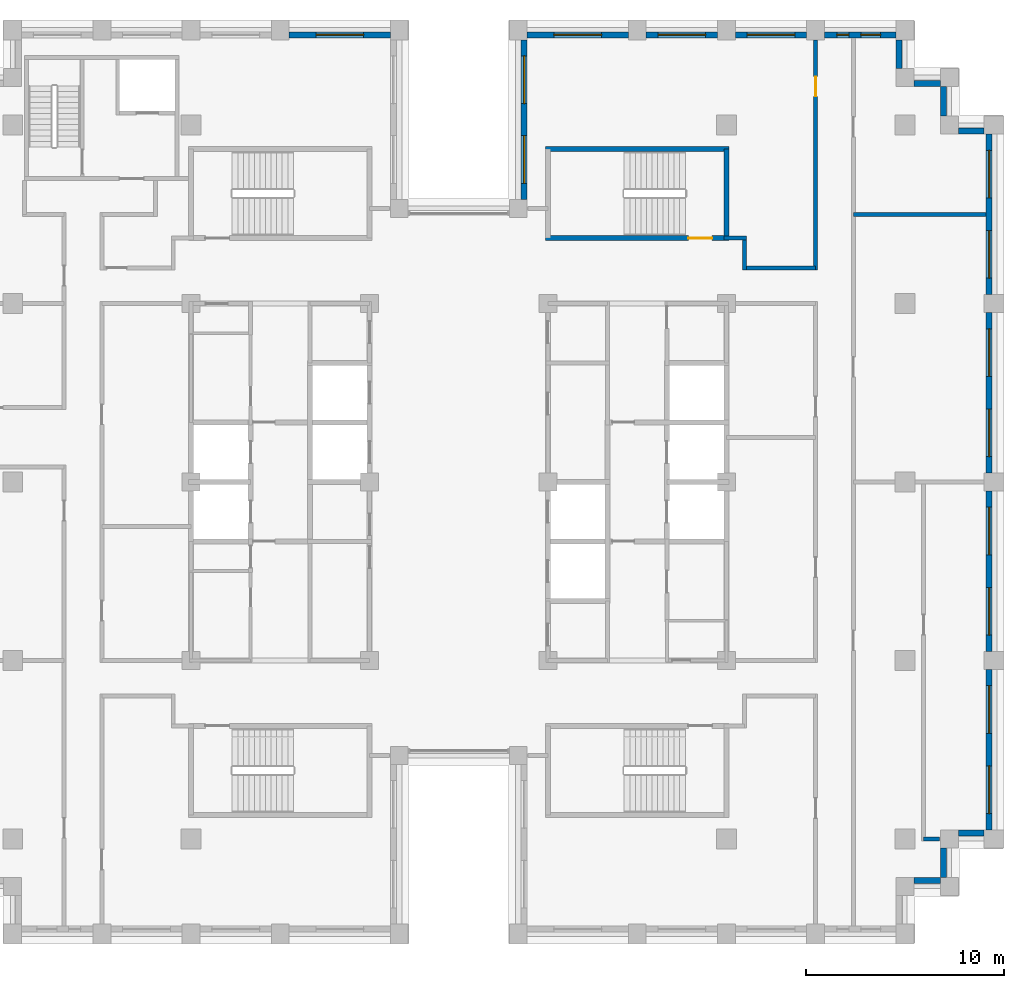
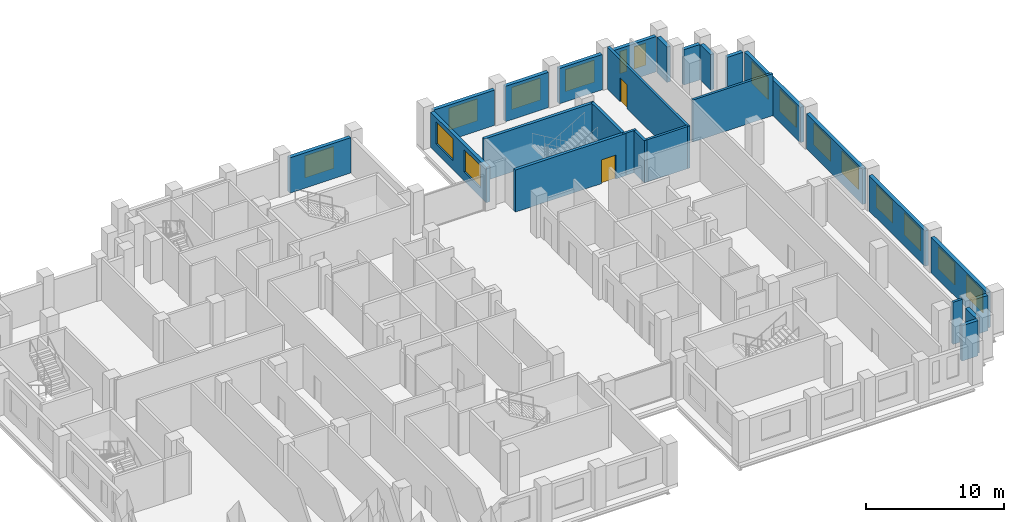
# One storey, part 11 of 15: 26 walls, 16 windows, 2 doors, 18 openings.
"""IFC4 building model written with IfcOpenShell, lengths in metres."""

import ifcopenshell
import ifcopenshell.guid

model = None  # the IFC model being written
_history = None  # IfcOwnerHistory: only IFC2X3 demands one
_inside = {}  # id of a spatial element -> (the spatial element, [elements in it])
_under = {}  # id of a project, library or spatial element -> (it, [spatial elements below it])
_declared = {}  # id of a project -> (the project, [libraries it declares])
_typed = {}  # id of a type object -> (the type object, [elements of that type])
_made_of = {}  # id of a material, layer set ... -> (it, [elements and type objects made of it])


def new_model(schema):
    """Start an empty IFC model of exactly this schema.

    Asked for "IFC4X3", IfcOpenShell would pick the latest addendum, in which some entities
    have other attributes; the version numbers below select the first issue.
    IFC2X3 requires an IfcOwnerHistory on every rooted entity: one is made here for all.
    """
    global model, _history
    if schema == "IFC4X3":
        model = ifcopenshell.file(schema_version=(4, 3, 0, 0))
    else:
        model = ifcopenshell.file(schema=schema)
    _inside.clear()
    _under.clear()
    _declared.clear()
    _typed.clear()
    _made_of.clear()
    _history = None
    if model.schema == "IFC2X3":
        org = make("IfcOrganization", Name="unknown")
        user = make(
            "IfcPersonAndOrganization",
            ThePerson=make("IfcPerson", FamilyName="unknown"),
            TheOrganization=org,
        )
        app = make(
            "IfcApplication",
            ApplicationDeveloper=org,
            Version="unknown",
            ApplicationFullName="unknown",
            ApplicationIdentifier="unknown",
        )
        _history = make(
            "IfcOwnerHistory",
            OwningUser=user,
            OwningApplication=app,
            ChangeAction="ADDED",
            CreationDate=0,
        )
    return model


def make(cls, **values):
    """One entity of the class cls with the attributes given. An attribute that is None is left unset."""
    return model.create_entity(
        cls, **{name: value for name, value in values.items() if value is not None}
    )


def rooted(cls, **values):
    """An entity with a GlobalId (a new one), such as an element, a storey or a relation."""
    return make(cls, GlobalId=ifcopenshell.guid.new(), OwnerHistory=_history, **values)


def si_unit(unit_type, name, prefix=None):
    """IfcSIUnit, for example si_unit("LENGTHUNIT", "METRE", prefix="MILLI")."""
    return make("IfcSIUnit", UnitType=unit_type, Prefix=prefix, Name=name)


def assignment(units):
    """IfcUnitAssignment: the units of a project."""
    return None if units is None else make("IfcUnitAssignment", Units=units)


def point(xyz):
    """IfcCartesianPoint."""
    return None if xyz is None else make("IfcCartesianPoint", Coordinates=xyz)


def direction(xyz):
    """IfcDirection."""
    return None if xyz is None else make("IfcDirection", DirectionRatios=xyz)


def frame(location, z_axis=None, x_axis=None):
    """IfcAxis2Placement3D, a coordinate frame: its origin and axes. An axis left out is left unset."""
    return make(
        "IfcAxis2Placement3D",
        Location=point(location),
        Axis=direction(z_axis),
        RefDirection=direction(x_axis),
    )


def frame_2d(location, x_axis=None):
    """IfcAxis2Placement2D, a coordinate frame in the plane: its origin and x axis."""
    return make(
        "IfcAxis2Placement2D", Location=point(location), RefDirection=direction(x_axis)
    )


def origin():
    """The frame at (0, 0, 0) with its axes left unset."""
    return frame((0.0, 0.0, 0.0))


def place(relative_to, where):
    """IfcLocalPlacement: puts the frame where relative to a parent placement (None: the world)."""
    return make(
        "IfcLocalPlacement", PlacementRelTo=relative_to, RelativePlacement=where
    )


def context(
    kind, dimensions, precision=None, world=None, true_north=None, identifier=None
):
    """IfcGeometricRepresentationContext, for example the 3D "Model" context."""
    return make(
        "IfcGeometricRepresentationContext",
        ContextIdentifier=identifier,
        ContextType=kind,
        CoordinateSpaceDimension=dimensions,
        Precision=precision,
        WorldCoordinateSystem=world,
        TrueNorth=true_north,
    )


def subcontext(parent, identifier, kind, view, scale=None):
    """IfcGeometricRepresentationSubContext, for example "Body" below "Model"."""
    return make(
        "IfcGeometricRepresentationSubContext",
        ContextIdentifier=identifier,
        ContextType=kind,
        ParentContext=parent,
        TargetScale=scale,
        TargetView=view,
    )


def project(units=None, contexts=None):
    """IfcProject with its units and contexts."""
    return rooted(
        "IfcProject",
        Name="project",
        RepresentationContexts=contexts,
        UnitsInContext=assignment(units),
    )


def spatial(cls, under=None, at=None, **own):
    """A site, building, storey or space (cls), placed at a placement, below another one or the project."""
    s = rooted(cls, ObjectPlacement=at, **own)
    if under is not None:
        _under.setdefault(under.id(), (under, []))[1].append(s)
    return s


def profile(cls, at=None, kind="AREA", **sizes):
    """A parametric profile (cls). Its sizes go by their IFC names, for example OverallWidth=200.0."""
    return make(cls, ProfileType=kind, Position=at, **sizes)


def rectangle(**sizes):
    """IfcRectangleProfileDef."""
    return profile("IfcRectangleProfileDef", **sizes)


def extrude(swept, where, along, depth):
    """IfcExtrudedAreaSolid: the profile swept, set in the frame where, extruded along a direction by depth."""
    return make(
        "IfcExtrudedAreaSolid",
        SweptArea=swept,
        Position=where,
        ExtrudedDirection=direction(along),
        Depth=depth,
    )


def shape(context_of_items, identifier, shape_type, items):
    """IfcShapeRepresentation: the items that make up one representation, for example the "Body"."""
    return make(
        "IfcShapeRepresentation",
        ContextOfItems=context_of_items,
        RepresentationIdentifier=identifier,
        RepresentationType=shape_type,
        Items=items,
    )


def material(Name=None, Category=None):
    """IfcMaterial."""
    return make("IfcMaterial", Name=Name, Category=Category)


def layer(
    of_material, thickness, ventilated=None, Name=None, Category=None, Priority=None
):
    """IfcMaterialLayer: one layer of a wall or slab, of a material (None: an air gap)."""
    return make(
        "IfcMaterialLayer",
        Material=of_material,
        LayerThickness=thickness,
        IsVentilated=ventilated,
        Name=Name,
        Category=Category,
        Priority=Priority,
    )


def layer_set(layers, Name=None):
    """IfcMaterialLayerSet."""
    return make("IfcMaterialLayerSet", MaterialLayers=layers, LayerSetName=Name)


def made_of(thing, what):
    """Note that an element or type object is made of a material, layer set ...; save() writes the relation."""
    if what is not None:
        _made_of.setdefault(what.id(), (what, []))[1].append(thing)
    return thing


def type_object(cls, material=None, **own):
    """A type object (cls), such as IfcWallType, which elements share."""
    return made_of(rooted(cls, **own), material)


def element(
    cls,
    number,
    at=None,
    inside=None,
    cuts=None,
    type_object=None,
    material=None,
    context=None,
    identifier="Body",
    shape_type=None,
    held_by="IfcProductDefinitionShape",
    body=None,
    shapes=None,
    **own,
):
    """One element of the class cls, such as IfcWall. Its Tag is "e" and its number.

    at: its placement. inside: the storey or other place that contains it. cuts: it is an
    opening in that element (IfcRelVoidsElement). A single representation is given by context,
    identifier, shape_type and body (its items); several are given by shapes. held_by: the class
    of the entity that holds the representations. save() writes the other relations.
    """
    e = rooted(cls, Tag="e%d" % number, ObjectPlacement=at, **own)
    if body is not None:
        shapes = [shape(context, identifier, shape_type, body)]
    if shapes is not None:
        e.Representation = make(held_by, Representations=shapes)
    if inside is not None:
        _inside.setdefault(inside.id(), (inside, []))[1].append(e)
    if cuts is not None:
        rooted(
            "IfcRelVoidsElement", RelatingBuildingElement=cuts, RelatedOpeningElement=e
        )
    if type_object is not None:
        _typed.setdefault(type_object.id(), (type_object, []))[1].append(e)
    return made_of(e, material)


def fill(opening, filler):
    """IfcRelFillsElement: the door or window that sits in an opening."""
    return rooted(
        "IfcRelFillsElement",
        RelatingOpeningElement=opening,
        RelatedBuildingElement=filler,
    )


def aggregate(whole, parts):
    """IfcRelAggregates: a whole, such as a stair, and the parts it consists of."""
    return rooted("IfcRelAggregates", RelatingObject=whole, RelatedObjects=parts)


def save(model, path):
    """Write the relations noted so far, then the file.

    IfcRelAggregates (storeys below a building ...), IfcRelContainedInSpatialStructure (elements
    in a storey), IfcRelDefinesByType, IfcRelAssociatesMaterial and IfcRelDeclares: one each for
    every whole, place, type object, material and project.
    """
    for whole, parts in _under.values():
        aggregate(whole, parts)
    for where, things in _inside.values():
        rooted(
            "IfcRelContainedInSpatialStructure",
            RelatedElements=things,
            RelatingStructure=where,
        )
    for kind, things in _typed.values():
        rooted("IfcRelDefinesByType", RelatedObjects=things, RelatingType=kind)
    for what, things in _made_of.values():
        rooted("IfcRelAssociatesMaterial", RelatedObjects=things, RelatingMaterial=what)
    for by, libraries in _declared.values():
        rooted("IfcRelDeclares", RelatingContext=by, RelatedDefinitions=libraries)
    model.write(path)


model = new_model("IFC4")

# Units and contexts
model_context = context("Model", 3, precision=1e-05, world=origin(), true_north=direction((0.0, 1.0)))
body_context = subcontext(model_context, "Body", "Model", "MODEL_VIEW")
ifc_project = project(units=[si_unit("LENGTHUNIT", "METRE"), si_unit("AREAUNIT", "SQUARE_METRE"), si_unit("VOLUMEUNIT", "CUBIC_METRE"), si_unit("PLANEANGLEUNIT", "RADIAN"), si_unit("MASSUNIT", "GRAM", prefix="KILO")], contexts=[model_context])

# Site, building, storey
site_placement = place(None, origin())
site = spatial("IfcSite", under=ifc_project, at=site_placement, CompositionType="ELEMENT")
building_placement = place(site_placement, origin())
building = spatial("IfcBuilding", under=site, at=building_placement, Name="Corbelhall Arena Tower", CompositionType="ELEMENT")
storey_placement = place(building_placement, frame((0.0, 0.0, 220.0)))
storey = spatial("IfcBuildingStorey", under=building, at=storey_placement, Name="L46", CompositionType="ELEMENT", Elevation=220.0)

# Walls
ifc_material_1 = material(Name="Precast concrete C40/50 with granite facing", Category="masonry")
ifc_layer_1 = layer(ifc_material_1, 0.300048828125)
ifc_layer_set_1 = layer_set([ifc_layer_1], Name="EV-IW1 Infill panel 300")
wall_type_1 = type_object("IfcWallType", Name="EV-IW1 Infill panel 300", PredefinedType="SOLIDWALL", material=ifc_layer_set_1)
wall_1_placement = place(storey_placement, frame((22.949951171875, -20.10009765625, 0.0), z_axis=(0.0, 0.0, 1.0), x_axis=(1.0, 0.0, 0.0)))
element("IfcWall", 1, at=wall_1_placement, inside=storey, type_object=wall_type_1, Name="Infill panel IW1", PredefinedType="SOLIDWALL", context=body_context, shape_type="SweptSolid", body=[
    extrude(rectangle(XDim=1.35009765625, YDim=0.300048828125, at=frame_2d((0.675048828125, 0.0))), origin(), (0.0, 0.0, 1.0), 3.1201171875),
])
wall_2_placement = place(storey_placement, frame((24.449951171875, -19.949951171875, 0.0), z_axis=(0.0, 0.0, 1.0), x_axis=(0.0, 1.0, 0.0)))
element("IfcWall", 2, at=wall_2_placement, inside=storey, type_object=wall_type_1, Name="Infill panel IW1", PredefinedType="SOLIDWALL", context=body_context, shape_type="SweptSolid", body=[
    extrude(rectangle(XDim=1.5, YDim=0.300048828125, at=frame_2d((0.75, 0.0))), origin(), (0.0, 0.0, 1.0), 3.1201171875),
])
wall_3_placement = place(storey_placement, frame((25.199951171875, -17.699951171875, 0.0), z_axis=(0.0, 0.0, 1.0), x_axis=(1.0, 0.0, 0.0)))
element("IfcWall", 3, at=wall_3_placement, inside=storey, type_object=wall_type_1, Name="Infill panel IW1", PredefinedType="SOLIDWALL", context=body_context, shape_type="SweptSolid", body=[
    extrude(rectangle(XDim=1.300048828125, YDim=0.300048828125, at=frame_2d((0.64990234375, 0.0))), origin(), (0.0, 0.0, 1.0), 3.1201171875),
])

# Wall, openings, windows
wall_4_placement = place(storey_placement, frame((26.75, -17.550048828125, 0.0), z_axis=(0.0, 0.0, 1.0), x_axis=(0.0, 1.0, 0.0)))
wall_4 = element("IfcWall", 4, at=wall_4_placement, inside=storey, type_object=wall_type_1, Name="Infill panel IW1", PredefinedType="SOLIDWALL", context=body_context, shape_type="SweptSolid", body=[
    extrude(rectangle(XDim=8.10009765625, YDim=0.300048828125, at=frame_2d((4.050048828125, 0.0))), origin(), (0.0, 0.0, 1.0), 3.1201171875),
])
opening_1_placement = place(wall_4_placement, frame((0.824951171875, 0.0, 0.800048828125)))
opening_1 = element("IfcOpeningElement", 5, at=opening_1_placement, cuts=wall_4, Name="Opening WN1", PredefinedType="OPENING", context=body_context, shape_type="SweptSolid", body=[
    extrude(rectangle(XDim=2.39990234375, YDim=1.949951171875, at=frame_2d((1.199951171875, 0.97509765625))), frame((0.0, 0.14990234375, 0.0), z_axis=(0.0, -1.0, 0.0), x_axis=(1.0, 0.0, 0.0)), (0.0, 0.0, 1.0), 0.300048828125),
])
opening_2_placement = place(wall_4_placement, frame((4.875, 0.0, 0.800048828125)))
opening_2 = element("IfcOpeningElement", 6, at=opening_2_placement, cuts=wall_4, Name="Opening WN1", PredefinedType="OPENING", context=body_context, shape_type="SweptSolid", body=[
    extrude(rectangle(XDim=2.39990234375, YDim=1.949951171875, at=frame_2d((1.199951171875, 0.97509765625))), frame((0.0, 0.14990234375, 0.0), z_axis=(0.0, -1.0, 0.0), x_axis=(1.0, 0.0, 0.0)), (0.0, 0.0, 1.0), 0.300048828125),
])
ifc_material_2 = material(Name="Aluminium black anodised", Category="aluminium")
window_type_1 = type_object("IfcWindowType", Name="EV-WN1 Office window", PartitioningType="SINGLE_PANEL", PredefinedType="WINDOW", material=ifc_material_2)
window_1_placement = place(opening_1_placement, origin())
window_1 = element("IfcWindow", 7, at=window_1_placement, inside=storey, type_object=window_type_1, Name="Window WN1", OverallHeight=1.949951171875, OverallWidth=2.39990234375, PartitioningType="SINGLE_PANEL", PredefinedType="WINDOW", context=body_context, shape_type="SweptSolid", body=[
    extrude(rectangle(XDim=2.39990234375, YDim=1.949951171875, at=frame_2d((1.199951171875, 0.97509765625))), frame((0.0, 0.030029296875, 0.0), z_axis=(0.0, -1.0, 0.0), x_axis=(1.0, 0.0, 0.0)), (0.0, 0.0, 1.0), 0.06005859375),
])
fill(opening_1, window_1)
window_2_placement = place(opening_2_placement, origin())
window_2 = element("IfcWindow", 8, at=window_2_placement, inside=storey, type_object=window_type_1, Name="Window WN1", OverallHeight=1.949951171875, OverallWidth=2.39990234375, PartitioningType="SINGLE_PANEL", PredefinedType="WINDOW", context=body_context, shape_type="SweptSolid", body=[
    extrude(rectangle(XDim=2.39990234375, YDim=1.949951171875, at=frame_2d((1.199951171875, 0.97509765625))), frame((0.0, 0.030029296875, 0.0), z_axis=(0.0, -1.0, 0.0), x_axis=(1.0, 0.0, 0.0)), (0.0, 0.0, 1.0), 0.06005859375),
])
fill(opening_2, window_2)

wall_5_placement = place(storey_placement, frame((26.75, -8.550048828125, 0.0), z_axis=(0.0, 0.0, 1.0), x_axis=(0.0, 1.0, 0.0)))
wall_5 = element("IfcWall", 9, at=wall_5_placement, inside=storey, type_object=wall_type_1, Name="Infill panel IW1", PredefinedType="SOLIDWALL", context=body_context, shape_type="SweptSolid", body=[
    extrude(rectangle(XDim=8.10009765625, YDim=0.300048828125, at=frame_2d((4.050048828125, 0.0))), origin(), (0.0, 0.0, 1.0), 3.1201171875),
])
opening_3_placement = place(wall_5_placement, frame((0.824951171875, 0.0, 0.800048828125)))
opening_3 = element("IfcOpeningElement", 10, at=opening_3_placement, cuts=wall_5, Name="Opening WN1", PredefinedType="OPENING", context=body_context, shape_type="SweptSolid", body=[
    extrude(rectangle(XDim=2.39990234375, YDim=1.949951171875, at=frame_2d((1.199951171875, 0.97509765625))), frame((0.0, 0.14990234375, 0.0), z_axis=(0.0, -1.0, 0.0), x_axis=(1.0, 0.0, 0.0)), (0.0, 0.0, 1.0), 0.300048828125),
])
opening_4_placement = place(wall_5_placement, frame((4.875, 0.0, 0.800048828125)))
opening_4 = element("IfcOpeningElement", 11, at=opening_4_placement, cuts=wall_5, Name="Opening WN1", PredefinedType="OPENING", context=body_context, shape_type="SweptSolid", body=[
    extrude(rectangle(XDim=2.39990234375, YDim=1.949951171875, at=frame_2d((1.199951171875, 0.97509765625))), frame((0.0, 0.14990234375, 0.0), z_axis=(0.0, -1.0, 0.0), x_axis=(1.0, 0.0, 0.0)), (0.0, 0.0, 1.0), 0.300048828125),
])
window_3_placement = place(opening_3_placement, origin())
window_3 = element("IfcWindow", 12, at=window_3_placement, inside=storey, type_object=window_type_1, Name="Window WN1", OverallHeight=1.949951171875, OverallWidth=2.39990234375, PartitioningType="SINGLE_PANEL", PredefinedType="WINDOW", context=body_context, shape_type="SweptSolid", body=[
    extrude(rectangle(XDim=2.39990234375, YDim=1.949951171875, at=frame_2d((1.199951171875, 0.97509765625))), frame((0.0, 0.030029296875, 0.0), z_axis=(0.0, -1.0, 0.0), x_axis=(1.0, 0.0, 0.0)), (0.0, 0.0, 1.0), 0.06005859375),
])
fill(opening_3, window_3)
window_4_placement = place(opening_4_placement, origin())
window_4 = element("IfcWindow", 13, at=window_4_placement, inside=storey, type_object=window_type_1, Name="Window WN1", OverallHeight=1.949951171875, OverallWidth=2.39990234375, PartitioningType="SINGLE_PANEL", PredefinedType="WINDOW", context=body_context, shape_type="SweptSolid", body=[
    extrude(rectangle(XDim=2.39990234375, YDim=1.949951171875, at=frame_2d((1.199951171875, 0.97509765625))), frame((0.0, 0.030029296875, 0.0), z_axis=(0.0, -1.0, 0.0), x_axis=(1.0, 0.0, 0.0)), (0.0, 0.0, 1.0), 0.06005859375),
])
fill(opening_4, window_4)

wall_6_placement = place(storey_placement, frame((26.75, 0.449951171875, 0.0), z_axis=(0.0, 0.0, 1.0), x_axis=(0.0, 1.0, 0.0)))
wall_6 = element("IfcWall", 14, at=wall_6_placement, inside=storey, type_object=wall_type_1, Name="Infill panel IW1", PredefinedType="SOLIDWALL", context=body_context, shape_type="SweptSolid", body=[
    extrude(rectangle(XDim=8.10009765625, YDim=0.300048828125, at=frame_2d((4.050048828125, 0.0))), origin(), (0.0, 0.0, 1.0), 3.1201171875),
])
opening_5_placement = place(wall_6_placement, frame((0.824951171875, 0.0, 0.800048828125)))
opening_5 = element("IfcOpeningElement", 15, at=opening_5_placement, cuts=wall_6, Name="Opening WN1", PredefinedType="OPENING", context=body_context, shape_type="SweptSolid", body=[
    extrude(rectangle(XDim=2.39990234375, YDim=1.949951171875, at=frame_2d((1.199951171875, 0.97509765625))), frame((0.0, 0.14990234375, 0.0), z_axis=(0.0, -1.0, 0.0), x_axis=(1.0, 0.0, 0.0)), (0.0, 0.0, 1.0), 0.300048828125),
])
opening_6_placement = place(wall_6_placement, frame((4.875, 0.0, 0.800048828125)))
opening_6 = element("IfcOpeningElement", 16, at=opening_6_placement, cuts=wall_6, Name="Opening WN1", PredefinedType="OPENING", context=body_context, shape_type="SweptSolid", body=[
    extrude(rectangle(XDim=2.39990234375, YDim=1.949951171875, at=frame_2d((1.199951171875, 0.97509765625))), frame((0.0, 0.14990234375, 0.0), z_axis=(0.0, -1.0, 0.0), x_axis=(1.0, 0.0, 0.0)), (0.0, 0.0, 1.0), 0.300048828125),
])
window_5_placement = place(opening_5_placement, origin())
window_5 = element("IfcWindow", 17, at=window_5_placement, inside=storey, type_object=window_type_1, Name="Window WN1", OverallHeight=1.949951171875, OverallWidth=2.39990234375, PartitioningType="SINGLE_PANEL", PredefinedType="WINDOW", context=body_context, shape_type="SweptSolid", body=[
    extrude(rectangle(XDim=2.39990234375, YDim=1.949951171875, at=frame_2d((1.199951171875, 0.97509765625))), frame((0.0, 0.030029296875, 0.0), z_axis=(0.0, -1.0, 0.0), x_axis=(1.0, 0.0, 0.0)), (0.0, 0.0, 1.0), 0.06005859375),
])
fill(opening_5, window_5)
window_6_placement = place(opening_6_placement, origin())
window_6 = element("IfcWindow", 18, at=window_6_placement, inside=storey, type_object=window_type_1, Name="Window WN1", OverallHeight=1.949951171875, OverallWidth=2.39990234375, PartitioningType="SINGLE_PANEL", PredefinedType="WINDOW", context=body_context, shape_type="SweptSolid", body=[
    extrude(rectangle(XDim=2.39990234375, YDim=1.949951171875, at=frame_2d((1.199951171875, 0.97509765625))), frame((0.0, 0.030029296875, 0.0), z_axis=(0.0, -1.0, 0.0), x_axis=(1.0, 0.0, 0.0)), (0.0, 0.0, 1.0), 0.06005859375),
])
fill(opening_6, window_6)

wall_7_placement = place(storey_placement, frame((26.75, 9.449951171875, 0.0), z_axis=(0.0, 0.0, 1.0), x_axis=(0.0, 1.0, 0.0)))
wall_7 = element("IfcWall", 19, at=wall_7_placement, inside=storey, type_object=wall_type_1, Name="Infill panel IW1", PredefinedType="SOLIDWALL", context=body_context, shape_type="SweptSolid", body=[
    extrude(rectangle(XDim=8.10009765625, YDim=0.300048828125, at=frame_2d((4.050048828125, 0.0))), origin(), (0.0, 0.0, 1.0), 3.1201171875),
])
opening_7_placement = place(wall_7_placement, frame((0.824951171875, 0.0, 0.800048828125)))
opening_7 = element("IfcOpeningElement", 20, at=opening_7_placement, cuts=wall_7, Name="Opening WN1", PredefinedType="OPENING", context=body_context, shape_type="SweptSolid", body=[
    extrude(rectangle(XDim=2.39990234375, YDim=1.949951171875, at=frame_2d((1.199951171875, 0.97509765625))), frame((0.0, 0.14990234375, 0.0), z_axis=(0.0, -1.0, 0.0), x_axis=(1.0, 0.0, 0.0)), (0.0, 0.0, 1.0), 0.300048828125),
])
opening_8_placement = place(wall_7_placement, frame((4.875, 0.0, 0.800048828125)))
opening_8 = element("IfcOpeningElement", 21, at=opening_8_placement, cuts=wall_7, Name="Opening WN1", PredefinedType="OPENING", context=body_context, shape_type="SweptSolid", body=[
    extrude(rectangle(XDim=2.39990234375, YDim=1.949951171875, at=frame_2d((1.199951171875, 0.97509765625))), frame((0.0, 0.14990234375, 0.0), z_axis=(0.0, -1.0, 0.0), x_axis=(1.0, 0.0, 0.0)), (0.0, 0.0, 1.0), 0.300048828125),
])
window_7_placement = place(opening_7_placement, origin())
window_7 = element("IfcWindow", 22, at=window_7_placement, inside=storey, type_object=window_type_1, Name="Window WN1", OverallHeight=1.949951171875, OverallWidth=2.39990234375, PartitioningType="SINGLE_PANEL", PredefinedType="WINDOW", context=body_context, shape_type="SweptSolid", body=[
    extrude(rectangle(XDim=2.39990234375, YDim=1.949951171875, at=frame_2d((1.199951171875, 0.97509765625))), frame((0.0, 0.030029296875, 0.0), z_axis=(0.0, -1.0, 0.0), x_axis=(1.0, 0.0, 0.0)), (0.0, 0.0, 1.0), 0.06005859375),
])
fill(opening_7, window_7)
window_8_placement = place(opening_8_placement, origin())
window_8 = element("IfcWindow", 23, at=window_8_placement, inside=storey, type_object=window_type_1, Name="Window WN1", OverallHeight=1.949951171875, OverallWidth=2.39990234375, PartitioningType="SINGLE_PANEL", PredefinedType="WINDOW", context=body_context, shape_type="SweptSolid", body=[
    extrude(rectangle(XDim=2.39990234375, YDim=1.949951171875, at=frame_2d((1.199951171875, 0.97509765625))), frame((0.0, 0.030029296875, 0.0), z_axis=(0.0, -1.0, 0.0), x_axis=(1.0, 0.0, 0.0)), (0.0, 0.0, 1.0), 0.06005859375),
])
fill(opening_8, window_8)

# Walls
wall_8_placement = place(storey_placement, frame((26.5, 17.699951171875, 0.0), z_axis=(0.0, 0.0, 1.0), x_axis=(-1.0, 0.0, 0.0)))
element("IfcWall", 24, at=wall_8_placement, inside=storey, type_object=wall_type_1, Name="Infill panel IW1", PredefinedType="SOLIDWALL", context=body_context, shape_type="SweptSolid", body=[
    extrude(rectangle(XDim=1.300048828125, YDim=0.300048828125, at=frame_2d((0.64990234375, 0.0))), origin(), (0.0, 0.0, 1.0), 3.1201171875),
])
wall_9_placement = place(storey_placement, frame((24.449951171875, 18.449951171875, 0.0), z_axis=(0.0, 0.0, 1.0), x_axis=(0.0, 1.0, 0.0)))
element("IfcWall", 25, at=wall_9_placement, inside=storey, type_object=wall_type_1, Name="Infill panel IW1", PredefinedType="SOLIDWALL", context=body_context, shape_type="SweptSolid", body=[
    extrude(rectangle(XDim=1.5, YDim=0.300048828125, at=frame_2d((0.75, 0.0))), origin(), (0.0, 0.0, 1.0), 3.1201171875),
])
wall_10_placement = place(storey_placement, frame((24.300048828125, 20.10009765625, 0.0), z_axis=(0.0, 0.0, 1.0), x_axis=(-1.0, 0.0, 0.0)))
element("IfcWall", 26, at=wall_10_placement, inside=storey, type_object=wall_type_1, Name="Infill panel IW1", PredefinedType="SOLIDWALL", context=body_context, shape_type="SweptSolid", body=[
    extrude(rectangle(XDim=1.35009765625, YDim=0.300048828125, at=frame_2d((0.675048828125, 0.0))), origin(), (0.0, 0.0, 1.0), 3.1201171875),
])
wall_11_placement = place(storey_placement, frame((22.199951171875, 20.85009765625, 0.0), z_axis=(0.0, 0.0, 1.0), x_axis=(0.0, 1.0, 0.0)))
element("IfcWall", 27, at=wall_11_placement, inside=storey, type_object=wall_type_1, Name="Infill panel IW1", PredefinedType="SOLIDWALL", context=body_context, shape_type="SweptSolid", body=[
    extrude(rectangle(XDim=1.449951171875, YDim=0.300048828125, at=frame_2d((0.72509765625, 0.0))), origin(), (0.0, 0.0, 1.0), 3.1201171875),
])

# Wall, openings, windows
wall_12_placement = place(storey_placement, frame((22.050048828125, 22.550048828125, 0.0), z_axis=(0.0, 0.0, 1.0), x_axis=(-1.0, 0.0, 0.0)))
wall_12 = element("IfcWall", 28, at=wall_12_placement, inside=storey, type_object=wall_type_1, Name="Infill panel IW1", PredefinedType="SOLIDWALL", context=body_context, shape_type="SweptSolid", body=[
    extrude(rectangle(XDim=3.60009765625, YDim=0.300048828125, at=frame_2d((1.800048828125, 0.0))), origin(), (0.0, 0.0, 1.0), 3.1201171875),
])
opening_9_placement = place(wall_12_placement, frame((0.77490234375, 0.0, 0.800048828125)))
opening_9 = element("IfcOpeningElement", 29, at=opening_9_placement, cuts=wall_12, Name="Opening WN6", PredefinedType="OPENING", context=body_context, shape_type="SweptSolid", body=[
    extrude(rectangle(XDim=1.0, YDim=1.949951171875, at=frame_2d((0.5, 0.97509765625))), frame((0.0, 0.14990234375, 0.0), z_axis=(0.0, -1.0, 0.0), x_axis=(1.0, 0.0, 0.0)), (0.0, 0.0, 1.0), 0.300048828125),
])
opening_10_placement = place(wall_12_placement, frame((2.375, 0.0, 0.800048828125)))
opening_10 = element("IfcOpeningElement", 30, at=opening_10_placement, cuts=wall_12, Name="Opening WN5", PredefinedType="OPENING", context=body_context, shape_type="SweptSolid", body=[
    extrude(rectangle(XDim=0.60009765625, YDim=1.949951171875, at=frame_2d((0.300048828125, 0.97509765625))), frame((0.0, 0.14990234375, 0.0), z_axis=(0.0, -1.0, 0.0), x_axis=(1.0, 0.0, 0.0)), (0.0, 0.0, 1.0), 0.300048828125),
])
window_type_2 = type_object("IfcWindowType", Name="EV-WN5 Office window 600", PartitioningType="SINGLE_PANEL", PredefinedType="WINDOW", material=ifc_material_2)
window_9_placement = place(opening_10_placement, origin())
window_9 = element("IfcWindow", 31, at=window_9_placement, inside=storey, type_object=window_type_2, Name="Window WN5", OverallHeight=1.949951171875, OverallWidth=0.60009765625, PartitioningType="SINGLE_PANEL", PredefinedType="WINDOW", context=body_context, shape_type="SweptSolid", body=[
    extrude(rectangle(XDim=0.60009765625, YDim=1.949951171875, at=frame_2d((0.300048828125, 0.97509765625))), frame((0.0, 0.030029296875, 0.0), z_axis=(0.0, -1.0, 0.0), x_axis=(1.0, 0.0, 0.0)), (0.0, 0.0, 1.0), 0.06005859375),
])
fill(opening_10, window_9)
window_type_3 = type_object("IfcWindowType", Name="EV-WN6 Office window 1000", PartitioningType="SINGLE_PANEL", PredefinedType="WINDOW", material=ifc_material_2)
window_10_placement = place(opening_9_placement, origin())
window_10 = element("IfcWindow", 32, at=window_10_placement, inside=storey, type_object=window_type_3, Name="Window WN6", OverallHeight=1.949951171875, OverallWidth=1.0, PartitioningType="SINGLE_PANEL", PredefinedType="WINDOW", context=body_context, shape_type="SweptSolid", body=[
    extrude(rectangle(XDim=1.0, YDim=1.949951171875, at=frame_2d((0.5, 0.97509765625))), frame((0.0, 0.030029296875, 0.0), z_axis=(0.0, -1.0, 0.0), x_axis=(1.0, 0.0, 0.0)), (0.0, 0.0, 1.0), 0.06005859375),
])
fill(opening_9, window_10)

# Wall, opening, window
wall_13_placement = place(storey_placement, frame((17.550048828125, 22.550048828125, 0.0), z_axis=(0.0, 0.0, 1.0), x_axis=(-1.0, 0.0, 0.0)))
wall_13 = element("IfcWall", 33, at=wall_13_placement, inside=storey, type_object=wall_type_1, Name="Infill panel IW1", PredefinedType="SOLIDWALL", context=body_context, shape_type="SweptSolid", body=[
    extrude(rectangle(XDim=3.60009765625, YDim=0.300048828125, at=frame_2d((1.800048828125, 0.0))), origin(), (0.0, 0.0, 1.0), 3.1201171875),
])
opening_11_placement = place(wall_13_placement, frame((0.60009765625, 0.0, 0.800048828125)))
opening_11 = element("IfcOpeningElement", 34, at=opening_11_placement, cuts=wall_13, Name="Opening WN1", PredefinedType="OPENING", context=body_context, shape_type="SweptSolid", body=[
    extrude(rectangle(XDim=2.39990234375, YDim=1.949951171875, at=frame_2d((1.199951171875, 0.97509765625))), frame((0.0, 0.14990234375, 0.0), z_axis=(0.0, -1.0, 0.0), x_axis=(1.0, 0.0, 0.0)), (0.0, 0.0, 1.0), 0.300048828125),
])
window_11_placement = place(opening_11_placement, origin())
window_11 = element("IfcWindow", 35, at=window_11_placement, inside=storey, type_object=window_type_1, Name="Window WN1", OverallHeight=1.949951171875, OverallWidth=2.39990234375, PartitioningType="SINGLE_PANEL", PredefinedType="WINDOW", context=body_context, shape_type="SweptSolid", body=[
    extrude(rectangle(XDim=2.39990234375, YDim=1.949951171875, at=frame_2d((1.199951171875, 0.97509765625))), frame((0.0, 0.030029296875, 0.0), z_axis=(0.0, -1.0, 0.0), x_axis=(1.0, 0.0, 0.0)), (0.0, 0.0, 1.0), 0.06005859375),
])
fill(opening_11, window_11)

wall_14_placement = place(storey_placement, frame((13.050048828125, 22.550048828125, 0.0), z_axis=(0.0, 0.0, 1.0), x_axis=(-1.0, 0.0, 0.0)))
wall_14 = element("IfcWall", 36, at=wall_14_placement, inside=storey, type_object=wall_type_1, Name="Infill panel IW1", PredefinedType="SOLIDWALL", context=body_context, shape_type="SweptSolid", body=[
    extrude(rectangle(XDim=3.60009765625, YDim=0.300048828125, at=frame_2d((1.800048828125, 0.0))), origin(), (0.0, 0.0, 1.0), 3.1201171875),
])
opening_12_placement = place(wall_14_placement, frame((0.60009765625, 0.0, 0.800048828125)))
opening_12 = element("IfcOpeningElement", 37, at=opening_12_placement, cuts=wall_14, Name="Opening WN1", PredefinedType="OPENING", context=body_context, shape_type="SweptSolid", body=[
    extrude(rectangle(XDim=2.39990234375, YDim=1.949951171875, at=frame_2d((1.199951171875, 0.97509765625))), frame((0.0, 0.14990234375, 0.0), z_axis=(0.0, -1.0, 0.0), x_axis=(1.0, 0.0, 0.0)), (0.0, 0.0, 1.0), 0.300048828125),
])
window_12_placement = place(opening_12_placement, origin())
window_12 = element("IfcWindow", 38, at=window_12_placement, inside=storey, type_object=window_type_1, Name="Window WN1", OverallHeight=1.949951171875, OverallWidth=2.39990234375, PartitioningType="SINGLE_PANEL", PredefinedType="WINDOW", context=body_context, shape_type="SweptSolid", body=[
    extrude(rectangle(XDim=2.39990234375, YDim=1.949951171875, at=frame_2d((1.199951171875, 0.97509765625))), frame((0.0, 0.030029296875, 0.0), z_axis=(0.0, -1.0, 0.0), x_axis=(1.0, 0.0, 0.0)), (0.0, 0.0, 1.0), 0.06005859375),
])
fill(opening_12, window_12)

wall_15_placement = place(storey_placement, frame((8.550048828125, 22.550048828125, 0.0), z_axis=(0.0, 0.0, 1.0), x_axis=(-1.0, 0.0, 0.0)))
wall_15 = element("IfcWall", 39, at=wall_15_placement, inside=storey, type_object=wall_type_1, Name="Infill panel IW1", PredefinedType="SOLIDWALL", context=body_context, shape_type="SweptSolid", body=[
    extrude(rectangle(XDim=5.10009765625, YDim=0.300048828125, at=frame_2d((2.550048828125, 0.0))), origin(), (0.0, 0.0, 1.0), 3.1201171875),
])
opening_13_placement = place(wall_15_placement, frame((1.35009765625, 0.0, 0.800048828125)))
opening_13 = element("IfcOpeningElement", 40, at=opening_13_placement, cuts=wall_15, Name="Opening WN1", PredefinedType="OPENING", context=body_context, shape_type="SweptSolid", body=[
    extrude(rectangle(XDim=2.39990234375, YDim=1.949951171875, at=frame_2d((1.199951171875, 0.97509765625))), frame((0.0, 0.14990234375, 0.0), z_axis=(0.0, -1.0, 0.0), x_axis=(1.0, 0.0, 0.0)), (0.0, 0.0, 1.0), 0.300048828125),
])
window_13_placement = place(opening_13_placement, origin())
window_13 = element("IfcWindow", 41, at=window_13_placement, inside=storey, type_object=window_type_1, Name="Window WN1", OverallHeight=1.949951171875, OverallWidth=2.39990234375, PartitioningType="SINGLE_PANEL", PredefinedType="WINDOW", context=body_context, shape_type="SweptSolid", body=[
    extrude(rectangle(XDim=2.39990234375, YDim=1.949951171875, at=frame_2d((1.199951171875, 0.97509765625))), frame((0.0, 0.030029296875, 0.0), z_axis=(0.0, -1.0, 0.0), x_axis=(1.0, 0.0, 0.0)), (0.0, 0.0, 1.0), 0.06005859375),
])
fill(opening_13, window_13)

# Wall, openings, windows
wall_16_placement = place(storey_placement, frame((3.300048828125, 22.300048828125, 0.0), z_axis=(0.0, 0.0, 1.0), x_axis=(0.0, -1.0, 0.0)))
wall_16 = element("IfcWall", 42, at=wall_16_placement, inside=storey, type_object=wall_type_1, Name="Infill panel IW1", PredefinedType="SOLIDWALL", context=body_context, shape_type="SweptSolid", body=[
    extrude(rectangle(XDim=8.050048828125, YDim=0.300048828125, at=frame_2d((4.02490234375, 0.0))), origin(), (0.0, 0.0, 1.0), 3.1201171875),
])
opening_14_placement = place(wall_16_placement, frame((0.8125, 0.0, 0.800048828125)))
opening_14 = element("IfcOpeningElement", 43, at=opening_14_placement, cuts=wall_16, Name="Opening WN1", PredefinedType="OPENING", context=body_context, shape_type="SweptSolid", body=[
    extrude(rectangle(XDim=2.39990234375, YDim=1.949951171875, at=frame_2d((1.199951171875, 0.97509765625))), frame((0.0, 0.14990234375, 0.0), z_axis=(0.0, -1.0, 0.0), x_axis=(1.0, 0.0, 0.0)), (0.0, 0.0, 1.0), 0.300048828125),
])
opening_15_placement = place(wall_16_placement, frame((4.83740234375, 0.0, 0.800048828125)))
opening_15 = element("IfcOpeningElement", 44, at=opening_15_placement, cuts=wall_16, Name="Opening WN1", PredefinedType="OPENING", context=body_context, shape_type="SweptSolid", body=[
    extrude(rectangle(XDim=2.39990234375, YDim=1.949951171875, at=frame_2d((1.199951171875, 0.97509765625))), frame((0.0, 0.14990234375, 0.0), z_axis=(0.0, -1.0, 0.0), x_axis=(1.0, 0.0, 0.0)), (0.0, 0.0, 1.0), 0.300048828125),
])
window_14_placement = place(opening_14_placement, origin())
window_14 = element("IfcWindow", 45, at=window_14_placement, inside=storey, type_object=window_type_1, Name="Window WN1", OverallHeight=1.949951171875, OverallWidth=2.39990234375, PartitioningType="SINGLE_PANEL", PredefinedType="WINDOW", context=body_context, shape_type="SweptSolid", body=[
    extrude(rectangle(XDim=2.39990234375, YDim=1.949951171875, at=frame_2d((1.199951171875, 0.97509765625))), frame((0.0, 0.030029296875, 0.0), z_axis=(0.0, -1.0, 0.0), x_axis=(1.0, 0.0, 0.0)), (0.0, 0.0, 1.0), 0.06005859375),
])
fill(opening_14, window_14)
window_15_placement = place(opening_15_placement, origin())
window_15 = element("IfcWindow", 46, at=window_15_placement, inside=storey, type_object=window_type_1, Name="Window WN1", OverallHeight=1.949951171875, OverallWidth=2.39990234375, PartitioningType="SINGLE_PANEL", PredefinedType="WINDOW", context=body_context, shape_type="SweptSolid", body=[
    extrude(rectangle(XDim=2.39990234375, YDim=1.949951171875, at=frame_2d((1.199951171875, 0.97509765625))), frame((0.0, 0.030029296875, 0.0), z_axis=(0.0, -1.0, 0.0), x_axis=(1.0, 0.0, 0.0)), (0.0, 0.0, 1.0), 0.06005859375),
])
fill(opening_15, window_15)

# Wall, opening, window
wall_17_placement = place(storey_placement, frame((-3.449951171875, 22.550048828125, 0.0), z_axis=(0.0, 0.0, 1.0), x_axis=(-1.0, 0.0, 0.0)))
wall_17 = element("IfcWall", 47, at=wall_17_placement, inside=storey, type_object=wall_type_1, Name="Infill panel IW1", PredefinedType="SOLIDWALL", context=body_context, shape_type="SweptSolid", body=[
    extrude(rectangle(XDim=5.10009765625, YDim=0.300048828125, at=frame_2d((2.550048828125, 0.0))), origin(), (0.0, 0.0, 1.0), 3.1201171875),
])
opening_16_placement = place(wall_17_placement, frame((1.35009765625, 0.0, 0.800048828125)))
opening_16 = element("IfcOpeningElement", 48, at=opening_16_placement, cuts=wall_17, Name="Opening WN1", PredefinedType="OPENING", context=body_context, shape_type="SweptSolid", body=[
    extrude(rectangle(XDim=2.39990234375, YDim=1.949951171875, at=frame_2d((1.199951171875, 0.97509765625))), frame((0.0, 0.14990234375, 0.0), z_axis=(0.0, -1.0, 0.0), x_axis=(1.0, 0.0, 0.0)), (0.0, 0.0, 1.0), 0.300048828125),
])
window_16_placement = place(opening_16_placement, origin())
window_16 = element("IfcWindow", 49, at=window_16_placement, inside=storey, type_object=window_type_1, Name="Window WN1", OverallHeight=1.949951171875, OverallWidth=2.39990234375, PartitioningType="SINGLE_PANEL", PredefinedType="WINDOW", context=body_context, shape_type="SweptSolid", body=[
    extrude(rectangle(XDim=2.39990234375, YDim=1.949951171875, at=frame_2d((1.199951171875, 0.97509765625))), frame((0.0, 0.030029296875, 0.0), z_axis=(0.0, -1.0, 0.0), x_axis=(1.0, 0.0, 0.0)), (0.0, 0.0, 1.0), 0.06005859375),
])
fill(opening_16, window_16)

# Walls
ifc_material_3 = material(Name="Gypsum board on steel stud, acoustic", Category="steel")
ifc_layer_2 = layer(ifc_material_3, 0.199951171875)
ifc_layer_set_2 = layer_set([ifc_layer_2], Name="IN-W-DM200")
wall_type_2 = type_object("IfcWallType", Name="IN-W-DM200", PredefinedType="PARTITIONING", material=ifc_layer_set_2)
wall_18_placement = place(storey_placement, frame((13.375, 12.300048828125, 0.0), z_axis=(0.0, 0.0, 1.0), x_axis=(1.0, 0.0, 0.0)))
element("IfcWall", 50, at=wall_18_placement, inside=storey, type_object=wall_type_2, Name="Partition 035", PredefinedType="PARTITIONING", context=body_context, shape_type="SweptSolid", body=[
    extrude(rectangle(XDim=1.125, YDim=0.199951171875, at=frame_2d((0.5625, 0.0))), origin(), (0.0, 0.0, 1.0), 3.719970703125),
])
wall_19_placement = place(storey_placement, frame((14.39990234375, 10.800048828125, 0.0), z_axis=(0.0, 0.0, 1.0), x_axis=(1.0, 0.0, 0.0)))
element("IfcWall", 51, at=wall_19_placement, inside=storey, type_object=wall_type_2, Name="Partition 041", PredefinedType="PARTITIONING", context=body_context, shape_type="SweptSolid", body=[
    extrude(rectangle(XDim=3.60009765625, YDim=0.199951171875, at=frame_2d((1.800048828125, 0.0))), origin(), (0.0, 0.0, 1.0), 3.719970703125),
])
wall_20_placement = place(storey_placement, frame((14.39990234375, 12.300048828125, 0.0), z_axis=(0.0, 0.0, 1.0), x_axis=(0.0, -1.0, 0.0)))
element("IfcWall", 52, at=wall_20_placement, inside=storey, type_object=wall_type_2, Name="Partition 042", PredefinedType="PARTITIONING", context=body_context, shape_type="SweptSolid", body=[
    extrude(rectangle(XDim=1.60009765625, YDim=0.199951171875, at=frame_2d((0.800048828125, 0.0))), origin(), (0.0, 0.0, 1.0), 3.719970703125),
])

# Wall, opening, door
wall_21_placement = place(storey_placement, frame((18.0, 10.699951171875, 0.0), z_axis=(0.0, 0.0, 1.0), x_axis=(0.0, 1.0, 0.0)))
wall_21 = element("IfcWall", 53, at=wall_21_placement, inside=storey, type_object=wall_type_2, Name="Partition 046", PredefinedType="PARTITIONING", context=body_context, shape_type="SweptSolid", body=[
    extrude(rectangle(XDim=11.60009765625, YDim=0.199951171875, at=frame_2d((5.800048828125, 0.0))), origin(), (0.0, 0.0, 1.0), 3.719970703125),
])
opening_17_placement = place(wall_21_placement, frame((8.75, 0.0, 0.0)))
opening_17 = element("IfcOpeningElement", 54, at=opening_17_placement, cuts=wall_21, Name="Opening 14029", PredefinedType="OPENING", context=body_context, shape_type="SweptSolid", body=[
    extrude(rectangle(XDim=1.0, YDim=2.10009765625, at=frame_2d((0.5, 1.050048828125))), frame((0.0, 0.10009765625, 0.0), z_axis=(0.0, -1.0, 0.0), x_axis=(1.0, 0.0, 0.0)), (0.0, 0.0, 1.0), 0.199951171875),
])
ifc_material_4 = material(Name="Steel door set", Category="steel")
door_type_1 = type_object("IfcDoorType", Name="IN-D-SW100", OperationType="NOTDEFINED", PredefinedType="DOOR", material=ifc_material_4)
door_1_placement = place(opening_17_placement, origin())
door_1 = element("IfcDoor", 55, at=door_1_placement, inside=storey, type_object=door_type_1, Name="Door 029", OperationType="SINGLE_SWING_RIGHT", OverallHeight=2.10009765625, OverallWidth=1.0, PredefinedType="DOOR", context=body_context, shape_type="SweptSolid", body=[
    extrude(rectangle(XDim=1.0, YDim=2.10009765625, at=frame_2d((0.5, 1.050048828125))), frame((0.0, 0.02490234375, 0.0), z_axis=(0.0, -1.0, 0.0), x_axis=(1.0, 0.0, 0.0)), (0.0, 0.0, 1.0), 0.050048828125),
])
fill(opening_17, door_1)

# Walls
wall_22_placement = place(storey_placement, frame((19.89990234375, 13.5, 0.0), z_axis=(0.0, 0.0, 1.0), x_axis=(1.0, 0.0, 0.0)))
element("IfcWall", 56, at=wall_22_placement, inside=storey, type_object=wall_type_2, Name="Partition 048", PredefinedType="PARTITIONING", context=body_context, shape_type="SweptSolid", body=[
    extrude(rectangle(XDim=6.7001953125, YDim=0.199951171875, at=frame_2d((3.35009765625, 0.0))), origin(), (0.0, 0.0, 1.0), 3.719970703125),
])
wall_23_placement = place(storey_placement, frame((23.449951171875, -18.0, 0.0), z_axis=(0.0, 0.0, 1.0), x_axis=(1.0, 0.0, 0.0)))
element("IfcWall", 57, at=wall_23_placement, inside=storey, type_object=wall_type_2, Name="Partition 049", PredefinedType="PARTITIONING", context=body_context, shape_type="SweptSolid", body=[
    extrude(rectangle(XDim=0.800048828125, YDim=0.199951171875, at=frame_2d((0.39990234375, 0.0))), origin(), (0.0, 0.0, 1.0), 3.719970703125),
])

# Wall, opening, door
ifc_material_5 = material(Name="Concrete C40/50", Category="concrete")
ifc_layer_3 = layer(ifc_material_5, 0.25)
ifc_layer_set_3 = layer_set([ifc_layer_3], Name="IN-W-ST250")
wall_type_3 = type_object("IfcWallType", Name="IN-W-ST250", PredefinedType="SOLIDWALL", material=ifc_layer_set_3)
wall_24_placement = place(storey_placement, frame((4.375, 12.300048828125, 0.0), z_axis=(0.0, 0.0, 1.0), x_axis=(1.0, 0.0, 0.0)))
wall_24 = element("IfcWall", 58, at=wall_24_placement, inside=storey, type_object=wall_type_3, Name="Shaft wall 109", PredefinedType="SOLIDWALL", context=body_context, shape_type="SweptSolid", body=[
    extrude(rectangle(XDim=9.25, YDim=0.25, at=frame_2d((4.625, 0.0))), origin(), (0.0, 0.0, 1.0), 3.719970703125),
])
opening_18_placement = place(wall_24_placement, frame((7.199951171875, 0.0, 0.0)))
opening_18 = element("IfcOpeningElement", 59, at=opening_18_placement, cuts=wall_24, Name="Opening 14020", PredefinedType="OPENING", context=body_context, shape_type="SweptSolid", body=[
    extrude(rectangle(XDim=1.199951171875, YDim=2.10009765625, at=frame_2d((0.60009765625, 1.050048828125))), frame((0.0, 0.125, 0.0), z_axis=(0.0, -1.0, 0.0), x_axis=(1.0, 0.0, 0.0)), (0.0, 0.0, 1.0), 0.25),
])
door_type_2 = type_object("IfcDoorType", Name="IN-D-ST120", OperationType="NOTDEFINED", PredefinedType="DOOR", material=ifc_material_4)
door_2_placement = place(opening_18_placement, origin())
door_2 = element("IfcDoor", 60, at=door_2_placement, inside=storey, type_object=door_type_2, Name="Door 020", OperationType="SINGLE_SWING_LEFT", OverallHeight=2.10009765625, OverallWidth=1.199951171875, PredefinedType="DOOR", context=body_context, shape_type="SweptSolid", body=[
    extrude(rectangle(XDim=1.199951171875, YDim=2.10009765625, at=frame_2d((0.60009765625, 1.050048828125))), frame((0.0, 0.02490234375, 0.0), z_axis=(0.0, -1.0, 0.0), x_axis=(1.0, 0.0, 0.0)), (0.0, 0.0, 1.0), 0.050048828125),
])
fill(opening_18, door_2)

# Walls
wall_25_placement = place(storey_placement, frame((4.375, 16.800048828125, 0.0), z_axis=(0.0, 0.0, 1.0), x_axis=(1.0, 0.0, 0.0)))
element("IfcWall", 61, at=wall_25_placement, inside=storey, type_object=wall_type_3, Name="Shaft wall 110", PredefinedType="SOLIDWALL", context=body_context, shape_type="SweptSolid", body=[
    extrude(rectangle(XDim=9.25, YDim=0.25, at=frame_2d((4.625, 0.0))), origin(), (0.0, 0.0, 1.0), 3.719970703125),
])
wall_26_placement = place(storey_placement, frame((13.5, 16.800048828125, 0.0), z_axis=(0.0, 0.0, 1.0), x_axis=(0.0, -1.0, 0.0)))
element("IfcWall", 62, at=wall_26_placement, inside=storey, type_object=wall_type_3, Name="Shaft wall 115", PredefinedType="SOLIDWALL", context=body_context, shape_type="SweptSolid", body=[
    extrude(rectangle(XDim=4.5, YDim=0.25, at=frame_2d((2.25, 0.0))), origin(), (0.0, 0.0, 1.0), 3.719970703125),
])

save(model, "model.ifc")
